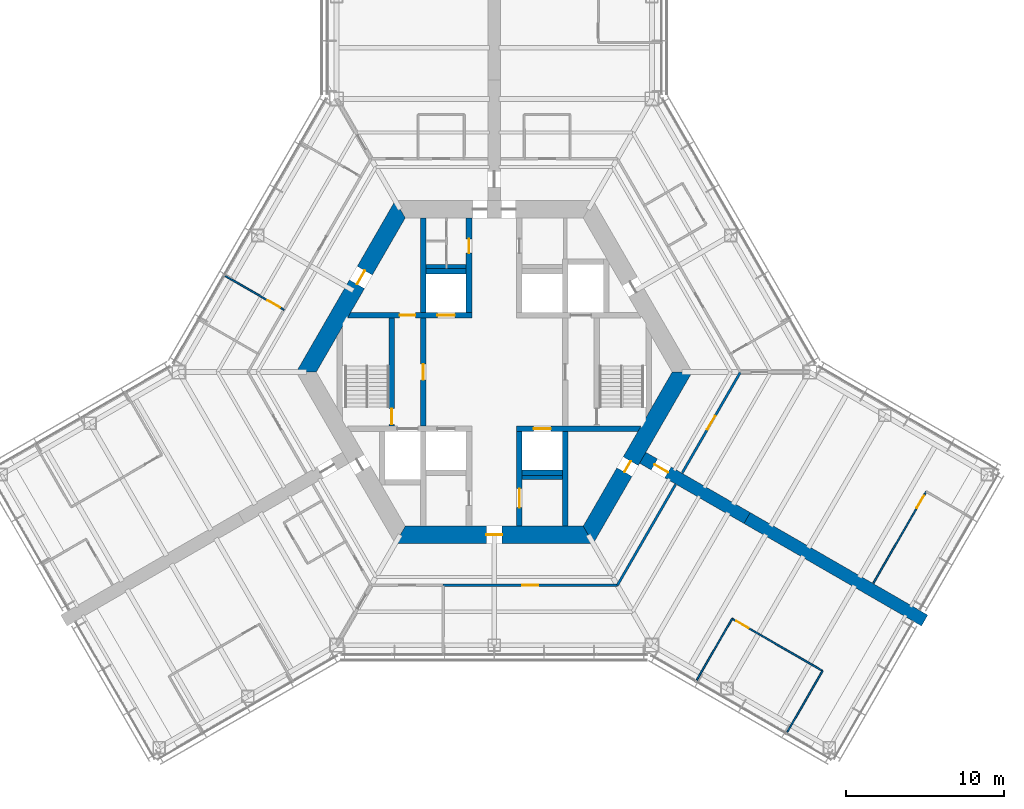
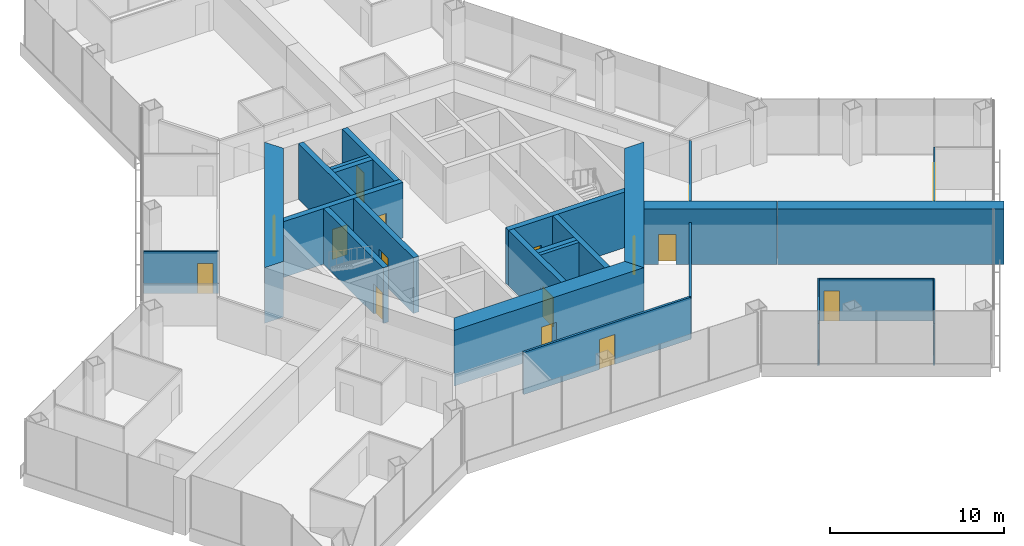
# One storey, part 13 of 18: 25 walls, 16 doors, 16 openings.
"""IFC4 building model written with IfcOpenShell, lengths in metres."""

from ifc_helpers import new_model, si_unit, direction, frame, frame_2d, origin, place, context, subcontext, project, spatial, polyline, rectangle, outline, extrude, material, layer, layer_set, type_object, element, fill, save


model = new_model("IFC4")

# Units and contexts
model_context = context("Model", 3, precision=1e-05, world=origin(), true_north=direction((0.0, 1.0)))
body_context = subcontext(model_context, "Body", "Model", "MODEL_VIEW")
ifc_project = project(units=[si_unit("LENGTHUNIT", "METRE"), si_unit("AREAUNIT", "SQUARE_METRE"), si_unit("VOLUMEUNIT", "CUBIC_METRE"), si_unit("PLANEANGLEUNIT", "RADIAN"), si_unit("MASSUNIT", "GRAM", prefix="KILO")], contexts=[model_context])

# Site, building, storey
site_placement = place(None, origin())
site = spatial("IfcSite", under=ifc_project, at=site_placement, CompositionType="ELEMENT")
building_placement = place(site_placement, origin())
building = spatial("IfcBuilding", under=site, at=building_placement, Name="Kasaneha Research Tower", CompositionType="ELEMENT")
storey_placement = place(building_placement, frame((0.0, 0.0, 76.800048828125)))
storey = spatial("IfcBuildingStorey", under=building, at=storey_placement, Name="L19", CompositionType="ELEMENT", Elevation=76.800048828125)

# Wall, openings, doors
ifc_material_1 = material(Name="Concrete Fc80", Category="concrete")
ifc_layer_1 = layer(ifc_material_1, 0.35009765625)
ifc_layer_set_1 = layer_set([ifc_layer_1], Name="Core internal wall 350 Fc80")
wall_type_1 = type_object("IfcWallType", Name="Core internal wall 350 Fc80", PredefinedType="SHEAR", material=ifc_layer_set_1)
wall_1_placement = place(storey_placement, frame((-9.208740234375, 3.60009765625, 0.0), z_axis=(0.0, 0.0, 1.0), x_axis=(1.0, 0.0, 0.0)))
wall_1 = element("IfcWall", 1, at=wall_1_placement, inside=storey, type_object=wall_type_1, Name="Core wall W1W L19", PredefinedType="SHEAR", context=body_context, shape_type="SweptSolid", body=[
    extrude(outline(polyline([(-0.10107421875, -0.175048828125), (3.208740234375, -0.175048828125), (4.208740234375, -0.175048828125), (5.608642578125, -0.175048828125), (6.708740234375, -0.175048828125), (7.78369140625, -0.175048828125), (7.78369140625, 0.175048828125), (6.708740234375, 0.175048828125), (5.608642578125, 0.175048828125), (4.208740234375, 0.175048828125), (3.208740234375, 0.175048828125), (0.10107421875, 0.175048828125), (-0.10107421875, -0.175048828125)])), origin(), (0.0, 0.0, 1.0), 3.89990234375),
])
opening_1_placement = place(wall_1_placement, frame((3.208740234375, 0.0, 0.0)))
opening_1 = element("IfcOpeningElement", 2, at=opening_1_placement, cuts=wall_1, Name="Opening L19-D12", PredefinedType="OPENING", context=body_context, shape_type="SweptSolid", body=[
    extrude(rectangle(XDim=1.0, YDim=2.10009765625, at=frame_2d((0.5, 1.050048828125))), frame((0.0, 0.18505859375, 0.0), z_axis=(0.0, -1.0, 0.0), x_axis=(1.0, 0.0, 0.0)), (0.0, 0.0, 1.0), 0.3701171875),
])
opening_2_placement = place(wall_1_placement, frame((5.608642578125, 0.0, 0.0)))
opening_2 = element("IfcOpeningElement", 3, at=opening_2_placement, cuts=wall_1, Name="Opening LD-LO1-L19", PredefinedType="OPENING", context=body_context, shape_type="SweptSolid", body=[
    extrude(rectangle(XDim=1.10009765625, YDim=2.10009765625, at=frame_2d((0.550048828125, 1.050048828125))), frame((0.0, 0.18505859375, 0.0), z_axis=(0.0, -1.0, 0.0), x_axis=(1.0, 0.0, 0.0)), (0.0, 0.0, 1.0), 0.3701171875),
])
ifc_material_2 = material(Name="Steel", Category="steel")
door_type_1 = type_object("IfcDoorType", Name="Lift landing door 1100x2100", OperationType="DOUBLE_DOOR_SLIDING", PredefinedType="DOOR", material=ifc_material_2)
door_1_placement = place(opening_2_placement, origin())
door_1 = element("IfcDoor", 4, at=door_1_placement, inside=storey, type_object=door_type_1, Name="Landing door LO1 LD-LO1-L19", OperationType="DOUBLE_DOOR_SLIDING", OverallHeight=2.10009765625, OverallWidth=1.10009765625, PredefinedType="DOOR", context=body_context, shape_type="SweptSolid", body=[
    extrude(rectangle(XDim=1.10009765625, YDim=2.10009765625, at=frame_2d((0.550048828125, 1.050048828125))), frame((0.0, 0.02490234375, 0.0), z_axis=(0.0, -1.0, 0.0), x_axis=(1.0, 0.0, 0.0)), (0.0, 0.0, 1.0), 0.050048828125),
])
fill(opening_2, door_1)
ifc_material_3 = material(Name="Steel", Category="steel")
door_type_2 = type_object("IfcDoorType", Name="Specified fire door FD60 1000x2100", OperationType="NOTDEFINED", PredefinedType="DOOR", material=ifc_material_3)
door_2_placement = place(opening_1_placement, origin())
door_2 = element("IfcDoor", 5, at=door_2_placement, inside=storey, type_object=door_type_2, Name="Vestibule to lobby door L19-D12", OperationType="SINGLE_SWING_RIGHT", OverallHeight=2.10009765625, OverallWidth=1.0, PredefinedType="DOOR", context=body_context, shape_type="SweptSolid", body=[
    extrude(rectangle(XDim=1.0, YDim=2.10009765625, at=frame_2d((0.5, 1.050048828125))), frame((0.0, 0.02490234375, 0.0), z_axis=(0.0, -1.0, 0.0), x_axis=(1.0, 0.0, 0.0)), (0.0, 0.0, 1.0), 0.050048828125),
])
fill(opening_1, door_2)

# Wall, opening, door
wall_2_placement = place(storey_placement, frame((1.425048828125, -3.60009765625, 0.0), z_axis=(0.0, 0.0, 1.0), x_axis=(1.0, 0.0, 0.0)))
wall_2 = element("IfcWall", 6, at=wall_2_placement, inside=storey, type_object=wall_type_1, Name="Core wall W2E L19", PredefinedType="SHEAR", context=body_context, shape_type="SweptSolid", body=[
    extrude(outline(polyline([(0.0, -0.175048828125), (1.074951171875, -0.175048828125), (2.175048828125, -0.175048828125), (7.6826171875, -0.175048828125), (7.884765625, 0.175048828125), (2.175048828125, 0.175048828125), (1.074951171875, 0.175048828125), (0.0, 0.175048828125), (0.0, -0.175048828125)])), origin(), (0.0, 0.0, 1.0), 3.89990234375),
])
opening_3_placement = place(wall_2_placement, frame((1.074951171875, 0.0, 0.0)))
opening_3 = element("IfcOpeningElement", 7, at=opening_3_placement, cuts=wall_2, Name="Opening LD-LO3-L19", PredefinedType="OPENING", context=body_context, shape_type="SweptSolid", body=[
    extrude(rectangle(XDim=1.10009765625, YDim=2.10009765625, at=frame_2d((0.550048828125, 1.050048828125))), frame((0.0, 0.18505859375, 0.0), z_axis=(0.0, -1.0, 0.0), x_axis=(1.0, 0.0, 0.0)), (0.0, 0.0, 1.0), 0.3701171875),
])
door_3_placement = place(opening_3_placement, origin())
door_3 = element("IfcDoor", 8, at=door_3_placement, inside=storey, type_object=door_type_1, Name="Landing door LO3 LD-LO3-L19", OperationType="DOUBLE_DOOR_SLIDING", OverallHeight=2.10009765625, OverallWidth=1.10009765625, PredefinedType="DOOR", context=body_context, shape_type="SweptSolid", body=[
    extrude(rectangle(XDim=1.10009765625, YDim=2.10009765625, at=frame_2d((0.550048828125, 1.050048828125))), frame((0.0, 0.02490234375, 0.0), z_axis=(0.0, -1.0, 0.0), x_axis=(1.0, 0.0, 0.0)), (0.0, 0.0, 1.0), 0.050048828125),
])
fill(opening_3, door_3)

wall_3_placement = place(storey_placement, frame((-1.60009765625, 3.77490234375, 0.0), z_axis=(0.0, 0.0, 1.0), x_axis=(0.0, 1.0, 0.0)))
wall_3 = element("IfcWall", 9, at=wall_3_placement, inside=storey, type_object=wall_type_1, Name="Core wall CNW L19", PredefinedType="SHEAR", context=body_context, shape_type="SweptSolid", body=[
    extrude(rectangle(XDim=6.0, YDim=0.35009765625, at=frame_2d((3.0, 0.0))), origin(), (0.0, 0.0, 1.0), 3.89990234375),
])
opening_4_placement = place(wall_3_placement, frame((3.77490234375, 0.0, 0.0)))
opening_4 = element("IfcOpeningElement", 10, at=opening_4_placement, cuts=wall_3, Name="Opening L19-D13", PredefinedType="OPENING", context=body_context, shape_type="SweptSolid", body=[
    extrude(rectangle(XDim=0.89990234375, YDim=2.10009765625, at=frame_2d((0.449951171875, 1.050048828125))), frame((0.0, 0.18505859375, 0.0), z_axis=(0.0, -1.0, 0.0), x_axis=(1.0, 0.0, 0.0)), (0.0, 0.0, 1.0), 0.3701171875),
])
ifc_material_4 = material(Name="Steel", Category="steel")
door_type_3 = type_object("IfcDoorType", Name="Toilet door FD20 900x2100", OperationType="NOTDEFINED", PredefinedType="DOOR", material=ifc_material_4)
door_4_placement = place(opening_4_placement, origin())
door_4 = element("IfcDoor", 11, at=door_4_placement, inside=storey, type_object=door_type_3, Name="Men's WC door L19-D13", OperationType="SINGLE_SWING_LEFT", OverallHeight=2.10009765625, OverallWidth=0.89990234375, PredefinedType="DOOR", context=body_context, shape_type="SweptSolid", body=[
    extrude(rectangle(XDim=0.89990234375, YDim=2.10009765625, at=frame_2d((0.449951171875, 1.050048828125))), frame((0.0, 0.02490234375, 0.0), z_axis=(0.0, -1.0, 0.0), x_axis=(1.0, 0.0, 0.0)), (0.0, 0.0, 1.0), 0.050048828125),
])
fill(opening_4, door_4)

wall_4_placement = place(storey_placement, frame((1.60009765625, -3.77490234375, 0.0), z_axis=(0.0, 0.0, 1.0), x_axis=(0.0, -1.0, 0.0)))
wall_4 = element("IfcWall", 12, at=wall_4_placement, inside=storey, type_object=wall_type_1, Name="Core wall CSE L19", PredefinedType="SHEAR", context=body_context, shape_type="SweptSolid", body=[
    extrude(rectangle(XDim=6.0, YDim=0.35009765625, at=frame_2d((3.0, 0.0))), origin(), (0.0, 0.0, 1.0), 3.89990234375),
])
opening_5_placement = place(wall_4_placement, frame((3.625, 0.0, 0.0)))
opening_5 = element("IfcOpeningElement", 13, at=opening_5_placement, cuts=wall_4, Name="Opening L19-D15", PredefinedType="OPENING", context=body_context, shape_type="SweptSolid", body=[
    extrude(rectangle(XDim=1.199951171875, YDim=2.10009765625, at=frame_2d((0.60009765625, 1.050048828125))), frame((0.0, 0.18505859375, 0.0), z_axis=(0.0, -1.0, 0.0), x_axis=(1.0, 0.0, 0.0)), (0.0, 0.0, 1.0), 0.3701171875),
])
ifc_material_5 = material(Name="Steel", Category="steel")
door_type_4 = type_object("IfcDoorType", Name="Accessible toilet sliding door FD20 1200x2100", OperationType="SLIDING_TO_LEFT", PredefinedType="DOOR", material=ifc_material_5)
door_5_placement = place(opening_5_placement, origin())
door_5 = element("IfcDoor", 14, at=door_5_placement, inside=storey, type_object=door_type_4, Name="Accessible WC door L19-D15", OperationType="SLIDING_TO_LEFT", OverallHeight=2.10009765625, OverallWidth=1.199951171875, PredefinedType="DOOR", context=body_context, shape_type="SweptSolid", body=[
    extrude(rectangle(XDim=1.199951171875, YDim=2.10009765625, at=frame_2d((0.60009765625, 1.050048828125))), frame((0.0, 0.02490234375, 0.0), z_axis=(0.0, -1.0, 0.0), x_axis=(1.0, 0.0, 0.0)), (0.0, 0.0, 1.0), 0.050048828125),
])
fill(opening_5, door_5)

wall_5_placement = place(storey_placement, frame((-4.5, -3.425048828125, 0.0), z_axis=(0.0, 0.0, 1.0), x_axis=(0.0, 1.0, 0.0)))
wall_5 = element("IfcWall", 15, at=wall_5_placement, inside=storey, type_object=wall_type_1, Name="Core wall LBW L19", PredefinedType="SHEAR", context=body_context, shape_type="SweptSolid", body=[
    extrude(rectangle(XDim=6.85009765625, YDim=0.35009765625, at=frame_2d((3.425048828125, 0.0))), origin(), (0.0, 0.0, 1.0), 3.89990234375),
])
opening_6_placement = place(wall_5_placement, frame((2.925048828125, 0.0, 0.0)))
opening_6 = element("IfcOpeningElement", 16, at=opening_6_placement, cuts=wall_5, Name="Opening L19-D09", PredefinedType="OPENING", context=body_context, shape_type="SweptSolid", body=[
    extrude(rectangle(XDim=1.0, YDim=2.10009765625, at=frame_2d((0.5, 1.050048828125))), frame((0.0, 0.18505859375, 0.0), z_axis=(0.0, -1.0, 0.0), x_axis=(1.0, 0.0, 0.0)), (0.0, 0.0, 1.0), 0.3701171875),
])
door_6_placement = place(opening_6_placement, origin())
door_6 = element("IfcDoor", 17, at=door_6_placement, inside=storey, type_object=door_type_2, Name="Lift lobby door west L19-D09", OperationType="SINGLE_SWING_LEFT", OverallHeight=2.10009765625, OverallWidth=1.0, PredefinedType="DOOR", context=body_context, shape_type="SweptSolid", body=[
    extrude(rectangle(XDim=1.0, YDim=2.10009765625, at=frame_2d((0.5, 1.050048828125))), frame((0.0, 0.02490234375, 0.0), z_axis=(0.0, -1.0, 0.0), x_axis=(1.0, 0.0, 0.0)), (0.0, 0.0, 1.0), 0.050048828125),
])
fill(opening_6, door_6)

wall_6_placement = place(storey_placement, frame((-6.5, -3.425048828125, 0.0), z_axis=(0.0, 0.0, 1.0), x_axis=(0.0, 1.0, 0.0)))
wall_6 = element("IfcWall", 18, at=wall_6_placement, inside=storey, type_object=wall_type_1, Name="Core wall ANW L19", PredefinedType="SHEAR", context=body_context, shape_type="SweptSolid", body=[
    extrude(rectangle(XDim=6.85009765625, YDim=0.35009765625, at=frame_2d((3.425048828125, 0.0))), origin(), (0.0, 0.0, 1.0), 3.89990234375),
])
opening_7_placement = place(wall_6_placement, frame((0.10009765625, 0.0, 0.0)))
opening_7 = element("IfcOpeningElement", 19, at=opening_7_placement, cuts=wall_6, Name="Opening L19-D11", PredefinedType="OPENING", context=body_context, shape_type="SweptSolid", body=[
    extrude(rectangle(XDim=1.0, YDim=2.10009765625, at=frame_2d((0.5, 1.050048828125))), frame((0.0, 0.18505859375, 0.0), z_axis=(0.0, -1.0, 0.0), x_axis=(1.0, 0.0, 0.0)), (0.0, 0.0, 1.0), 0.3701171875),
])
door_7_placement = place(opening_7_placement, origin())
door_7 = element("IfcDoor", 20, at=door_7_placement, inside=storey, type_object=door_type_2, Name="Stair 2 door L19-D11", OperationType="SINGLE_SWING_LEFT", OverallHeight=2.10009765625, OverallWidth=1.0, PredefinedType="DOOR", context=body_context, shape_type="SweptSolid", body=[
    extrude(rectangle(XDim=1.0, YDim=2.10009765625, at=frame_2d((0.5, 1.050048828125))), frame((0.0, 0.02490234375, 0.0), z_axis=(0.0, -1.0, 0.0), x_axis=(1.0, 0.0, 0.0)), (0.0, 0.0, 1.0), 0.050048828125),
])
fill(opening_7, door_7)

# Walls
for number, where, z_axis, x_axis, name in (
    (21, (-4.5, 3.77490234375, 0.0), (0.0, 0.0, 1.0), (0.0, 1.0, 0.0), "Core wall VNW L19"),
    (22, (4.5, -3.77490234375, 0.0), (0.0, 0.0, 1.0), (0.0, -1.0, 0.0), "Core wall SSE L19"),
):
    element("IfcWall", number, at=place(storey_placement, frame(where, z_axis=z_axis, x_axis=x_axis)), inside=storey, type_object=wall_type_1, Name=name, PredefinedType="SHEAR", context=body_context, shape_type="SweptSolid", body=[
        extrude(rectangle(XDim=6.0, YDim=0.35009765625, at=frame_2d((3.0, 0.0))), origin(), (0.0, 0.0, 1.0), 3.89990234375),
    ])
for number, where, z_axis, x_axis, name in (
    (23, (-4.324951171875, 6.39990234375, 0.0), (0.0, 0.0, 1.0), (1.0, 0.0, 0.0), "Core wall N1N L19"),
    (24, (1.77490234375, -6.39990234375, 0.0), (0.0, 0.0, 1.0), (1.0, 0.0, 0.0), "Core wall S3S L19"),
):
    element("IfcWall", number, at=place(storey_placement, frame(where, z_axis=z_axis, x_axis=x_axis)), inside=storey, type_object=wall_type_1, Name=name, PredefinedType="SHEAR", context=body_context, shape_type="SweptSolid", body=[
        extrude(rectangle(XDim=2.550048828125, YDim=0.35009765625, at=frame_2d((1.27490234375, 0.0))), origin(), (0.0, 0.0, 1.0), 3.89990234375),
    ])

# Wall, opening, door
ifc_material_6 = material(Name="Concrete Fc80", Category="concrete")
ifc_layer_2 = layer(ifc_material_6, 1.10009765625)
ifc_layer_set_2 = layer_set([ifc_layer_2], Name="Core wall 1100 Fc80")
wall_type_2 = type_object("IfcWallType", Name="Core wall 1100 Fc80", PredefinedType="SHEAR", material=ifc_layer_set_2)
wall_7_placement = place(storey_placement, frame((-5.961181640625, 10.324951171875, 0.0), z_axis=(0.0, 0.0, 1.0), x_axis=(-0.500004296715, -0.866022923061, 0.0)))
wall_7 = element("IfcWall", 25, at=wall_7_placement, inside=storey, type_object=wall_type_2, Name="Core wall 150 L19", PredefinedType="SHEAR", context=body_context, shape_type="SweptSolid", body=[
    extrude(outline(polyline([(-0.317626953125, -0.550048828125), (4.494140625, -0.550048828125), (5.494140625, -0.550048828125), (12.239990234375, -0.550048828125), (11.604736328125, 0.550048828125), (5.494140625, 0.550048828125), (4.494140625, 0.550048828125), (0.317626953125, 0.550048828125), (-0.317626953125, -0.550048828125)])), origin(), (0.0, 0.0, 1.0), 3.89990234375),
])
opening_8_placement = place(wall_7_placement, frame((4.494140625, 0.0, 0.0)))
opening_8 = element("IfcOpeningElement", 26, at=opening_8_placement, cuts=wall_7, Name="Opening L19-D07", PredefinedType="OPENING", context=body_context, shape_type="SweptSolid", body=[
    extrude(rectangle(XDim=1.0, YDim=2.10009765625, at=frame_2d((0.5, 1.050048828125))), frame((0.0, 0.56005859375, 0.0), z_axis=(0.0, -1.0, 0.0), x_axis=(1.0, 0.0, 0.0)), (0.0, 0.0, 1.0), 1.1201171875),
])
ifc_material_7 = material(Name="Steel", Category="steel")
door_type_5 = type_object("IfcDoorType", Name="Fire door FD20 1000x2100", OperationType="NOTDEFINED", PredefinedType="DOOR", material=ifc_material_7)
door_8_placement = place(opening_8_placement, origin())
door_8 = element("IfcDoor", 27, at=door_8_placement, inside=storey, type_object=door_type_5, Name="Vestibule door L19-D07", OperationType="SINGLE_SWING_LEFT", OverallHeight=2.10009765625, OverallWidth=1.0, PredefinedType="DOOR", context=body_context, shape_type="SweptSolid", body=[
    extrude(rectangle(XDim=1.0, YDim=2.10009765625, at=frame_2d((0.5, 1.050048828125))), frame((0.0, 0.02490234375, 0.0), z_axis=(0.0, -1.0, 0.0), x_axis=(1.0, 0.0, 0.0)), (0.0, 0.0, 1.0), 0.050048828125),
])
fill(opening_8, door_8)

wall_8_placement = place(storey_placement, frame((-5.961181640625, -10.324951171875, 0.0), z_axis=(0.0, 0.0, 1.0), x_axis=(1.0, 0.0, 0.0)))
wall_8 = element("IfcWall", 28, at=wall_8_placement, inside=storey, type_object=wall_type_2, Name="Core wall 270 L19", PredefinedType="SHEAR", context=body_context, shape_type="SweptSolid", body=[
    extrude(outline(polyline([(-0.317626953125, -0.550048828125), (5.461181640625, -0.550048828125), (6.461181640625, -0.550048828125), (12.239990234375, -0.550048828125), (11.604736328125, 0.550048828125), (6.461181640625, 0.550048828125), (5.461181640625, 0.550048828125), (0.317626953125, 0.550048828125), (-0.317626953125, -0.550048828125)])), origin(), (0.0, 0.0, 1.0), 3.89990234375),
])
opening_9_placement = place(wall_8_placement, frame((5.461181640625, 0.0, 0.0)))
opening_9 = element("IfcOpeningElement", 29, at=opening_9_placement, cuts=wall_8, Name="Opening L19-D03", PredefinedType="OPENING", context=body_context, shape_type="SweptSolid", body=[
    extrude(rectangle(XDim=1.0, YDim=2.10009765625, at=frame_2d((0.5, 1.050048828125))), frame((0.0, 0.56005859375, 0.0), z_axis=(0.0, -1.0, 0.0), x_axis=(1.0, 0.0, 0.0)), (0.0, 0.0, 1.0), 1.1201171875),
])
door_9_placement = place(opening_9_placement, origin())
door_9 = element("IfcDoor", 30, at=door_9_placement, inside=storey, type_object=door_type_5, Name="Core door south L19-D03", OperationType="SINGLE_SWING_LEFT", OverallHeight=2.10009765625, OverallWidth=1.0, PredefinedType="DOOR", context=body_context, shape_type="SweptSolid", body=[
    extrude(rectangle(XDim=1.0, YDim=2.10009765625, at=frame_2d((0.5, 1.050048828125))), frame((0.0, 0.02490234375, 0.0), z_axis=(0.0, -1.0, 0.0), x_axis=(1.0, 0.0, 0.0)), (0.0, 0.0, 1.0), 0.050048828125),
])
fill(opening_9, door_9)

wall_9_placement = place(storey_placement, frame((5.961181640625, -10.324951171875, 0.0), z_axis=(0.0, 0.0, 1.0), x_axis=(0.500004296715, 0.866022923061, 0.0)))
wall_9 = element("IfcWall", 31, at=wall_9_placement, inside=storey, type_object=wall_type_2, Name="Core wall 330 L19", PredefinedType="SHEAR", context=body_context, shape_type="SweptSolid", body=[
    extrude(outline(polyline([(-0.317626953125, -0.550048828125), (4.593994140625, -0.550048828125), (5.39404296875, -0.550048828125), (12.239990234375, -0.550048828125), (11.604736328125, 0.550048828125), (5.39404296875, 0.550048828125), (4.593994140625, 0.550048828125), (0.317626953125, 0.550048828125), (-0.317626953125, -0.550048828125)])), origin(), (0.0, 0.0, 1.0), 3.89990234375),
])
opening_10_placement = place(wall_9_placement, frame((4.593994140625, 0.0, 0.0)))
opening_10 = element("IfcOpeningElement", 32, at=opening_10_placement, cuts=wall_9, Name="Opening L19-D05", PredefinedType="OPENING", context=body_context, shape_type="SweptSolid", body=[
    extrude(rectangle(XDim=0.800048828125, YDim=2.10009765625, at=frame_2d((0.39990234375, 1.050048828125))), frame((0.0, 0.56005859375, 0.0), z_axis=(0.0, -1.0, 0.0), x_axis=(1.0, 0.0, 0.0)), (0.0, 0.0, 1.0), 1.1201171875),
])
ifc_material_8 = material(Name="Steel", Category="steel")
door_type_6 = type_object("IfcDoorType", Name="Riser access door FD60 800x2100", OperationType="NOTDEFINED", PredefinedType="DOOR", material=ifc_material_8)
door_10_placement = place(opening_10_placement, origin())
door_10 = element("IfcDoor", 33, at=door_10_placement, inside=storey, type_object=door_type_6, Name="Pipe riser door L19-D05", OperationType="SINGLE_SWING_LEFT", OverallHeight=2.10009765625, OverallWidth=0.800048828125, PredefinedType="DOOR", context=body_context, shape_type="SweptSolid", body=[
    extrude(rectangle(XDim=0.800048828125, YDim=2.10009765625, at=frame_2d((0.39990234375, 1.050048828125))), frame((0.0, 0.02490234375, 0.0), z_axis=(0.0, -1.0, 0.0), x_axis=(1.0, 0.0, 0.0)), (0.0, 0.0, 1.0), 0.050048828125),
])
fill(opening_10, door_10)

ifc_material_9 = material(Name="Gypsum board on steel studs, one layer each side", Category="steel")
ifc_layer_3 = layer(ifc_material_9, 0.10009765625)
ifc_layer_set_3 = layer_set([ifc_layer_3], Name="Office partition 100")
wall_type_3 = type_object("IfcWallType", Name="Office partition 100", PredefinedType="PARTITIONING", material=ifc_layer_set_3)
wall_10_placement = place(storey_placement, frame((-17.05615234375, 6.098876953125, 0.0), z_axis=(0.0, 0.0, 1.0), x_axis=(0.865505397626, -0.500899597405, 0.0)))
wall_10 = element("IfcWall", 34, at=wall_10_placement, inside=storey, type_object=wall_type_3, Name="Office partition FBN07 L19", PredefinedType="PARTITIONING", context=body_context, shape_type="SweptSolid", body=[
    extrude(rectangle(XDim=4.29541015625, YDim=0.10009765625, at=frame_2d((2.147705078125, 0.0))), origin(), (0.0, 0.0, 1.0), 2.949951171875),
])
opening_11_placement = place(wall_10_placement, frame((3.095458984375, 0.0, 0.0)))
opening_11 = element("IfcOpeningElement", 35, at=opening_11_placement, cuts=wall_10, Name="Opening L19-D37", PredefinedType="OPENING", context=body_context, shape_type="SweptSolid", body=[
    extrude(rectangle(XDim=0.89990234375, YDim=2.10009765625, at=frame_2d((0.449951171875, 1.050048828125))), frame((0.0, 0.06005859375, 0.0), z_axis=(0.0, -1.0, 0.0), x_axis=(1.0, 0.0, 0.0)), (0.0, 0.0, 1.0), 0.1201171875),
])
ifc_material_10 = material(Name="Timber veneer", Category="wood")
door_type_7 = type_object("IfcDoorType", Name="Office door 900x2100", OperationType="SINGLE_SWING_LEFT", PredefinedType="DOOR", material=ifc_material_10)
door_11_placement = place(opening_11_placement, origin())
door_11 = element("IfcDoor", 36, at=door_11_placement, inside=storey, type_object=door_type_7, Name="Interview room door L19-D37", OperationType="SINGLE_SWING_RIGHT", OverallHeight=2.10009765625, OverallWidth=0.89990234375, PredefinedType="DOOR", context=body_context, shape_type="SweptSolid", body=[
    extrude(rectangle(XDim=0.89990234375, YDim=2.10009765625, at=frame_2d((0.449951171875, 1.050048828125))), frame((0.0, 0.02490234375, 0.0), z_axis=(0.0, -1.0, 0.0), x_axis=(1.0, 0.0, 0.0)), (0.0, 0.0, 1.0), 0.050048828125),
])
fill(opening_11, door_11)

wall_11_placement = place(storey_placement, frame((24.04345703125, -13.396484375, 0.0), z_axis=(0.0, 0.0, 1.0), x_axis=(0.499999473313, 0.866025707867, 0.0)))
wall_11 = element("IfcWall", 37, at=wall_11_placement, inside=storey, type_object=wall_type_3, Name="Office partition FCE02 L19", PredefinedType="PARTITIONING", context=body_context, shape_type="SweptSolid", body=[
    extrude(rectangle(XDim=6.71337890625, YDim=0.10009765625, at=frame_2d((3.356689453125, 0.0))), origin(), (0.0, 0.0, 1.0), 2.949951171875),
])
opening_12_placement = place(wall_11_placement, frame((5.51318359375, 0.0, 0.0)))
opening_12 = element("IfcOpeningElement", 38, at=opening_12_placement, cuts=wall_11, Name="Opening L19-D45", PredefinedType="OPENING", context=body_context, shape_type="SweptSolid", body=[
    extrude(rectangle(XDim=0.89990234375, YDim=2.10009765625, at=frame_2d((0.449951171875, 1.050048828125))), frame((0.0, 0.06005859375, 0.0), z_axis=(0.0, -1.0, 0.0), x_axis=(1.0, 0.0, 0.0)), (0.0, 0.0, 1.0), 0.1201171875),
])
door_12_placement = place(opening_12_placement, origin())
door_12 = element("IfcDoor", 39, at=door_12_placement, inside=storey, type_object=door_type_7, Name="Manager's office door L19-D45", OperationType="SINGLE_SWING_RIGHT", OverallHeight=2.10009765625, OverallWidth=0.89990234375, PredefinedType="DOOR", context=body_context, shape_type="SweptSolid", body=[
    extrude(rectangle(XDim=0.89990234375, YDim=2.10009765625, at=frame_2d((0.449951171875, 1.050048828125))), frame((0.0, 0.02490234375, 0.0), z_axis=(0.0, -1.0, 0.0), x_axis=(1.0, 0.0, 0.0)), (0.0, 0.0, 1.0), 0.050048828125),
])
fill(opening_12, door_12)

# Wall
wall_12_placement = place(storey_placement, frame((12.84228515625, -19.538818359375, 0.0), z_axis=(0.0, 0.0, 1.0), x_axis=(0.499990139034, 0.866031096941, 0.0)))
element("IfcWall", 40, at=wall_12_placement, inside=storey, type_object=wall_type_3, Name="Office partition FCS04 L19", PredefinedType="PARTITIONING", context=body_context, shape_type="SweptSolid", body=[
    extrude(rectangle(XDim=4.5, YDim=0.10009765625, at=frame_2d((2.25, 0.0))), origin(), (0.0, 0.0, 1.0), 2.949951171875),
])

# Wall, opening, door
wall_13_placement = place(storey_placement, frame((15.09228515625, -15.6416015625, 0.0), z_axis=(0.0, 0.0, 1.0), x_axis=(0.866021597574, -0.500006592492, 0.0)))
wall_13 = element("IfcWall", 41, at=wall_13_placement, inside=storey, type_object=wall_type_3, Name="Office partition FCS05 L19", PredefinedType="PARTITIONING", context=body_context, shape_type="SweptSolid", body=[
    extrude(rectangle(XDim=6.61962890625, YDim=0.10009765625, at=frame_2d((3.309814453125, 0.0))), origin(), (0.0, 0.0, 1.0), 2.949951171875),
])
opening_13_placement = place(wall_13_placement, frame((0.300048828125, 0.0, 0.0)))
opening_13 = element("IfcOpeningElement", 42, at=opening_13_placement, cuts=wall_13, Name="Opening L19-D48", PredefinedType="OPENING", context=body_context, shape_type="SweptSolid", body=[
    extrude(rectangle(XDim=0.89990234375, YDim=2.10009765625, at=frame_2d((0.449951171875, 1.050048828125))), frame((0.0, 0.06005859375, 0.0), z_axis=(0.0, -1.0, 0.0), x_axis=(1.0, 0.0, 0.0)), (0.0, 0.0, 1.0), 0.1201171875),
])
door_13_placement = place(opening_13_placement, origin())
door_13 = element("IfcDoor", 43, at=door_13_placement, inside=storey, type_object=door_type_7, Name="Project room door L19-D48", OperationType="SINGLE_SWING_LEFT", OverallHeight=2.10009765625, OverallWidth=0.89990234375, PredefinedType="DOOR", context=body_context, shape_type="SweptSolid", body=[
    extrude(rectangle(XDim=0.89990234375, YDim=2.10009765625, at=frame_2d((0.449951171875, 1.050048828125))), frame((0.0, 0.02490234375, 0.0), z_axis=(0.0, -1.0, 0.0), x_axis=(1.0, 0.0, 0.0)), (0.0, 0.0, 1.0), 0.050048828125),
])
fill(opening_13, door_13)

# Wall
wall_14_placement = place(storey_placement, frame((20.824951171875, -18.951416015625, 0.0), z_axis=(0.0, 0.0, 1.0), x_axis=(-0.499989762656, -0.866031314237, 0.0)))
element("IfcWall", 44, at=wall_14_placement, inside=storey, type_object=wall_type_3, Name="Office partition FCS06 L19", PredefinedType="PARTITIONING", context=body_context, shape_type="SweptSolid", body=[
    extrude(rectangle(XDim=4.47998046875, YDim=0.10009765625, at=frame_2d((2.239990234375, 0.0))), origin(), (0.0, 0.0, 1.0), 2.949951171875),
])

# Wall, opening, door
ifc_material_11 = material(Name="Concrete Fc80", Category="concrete")
ifc_layer_4 = layer(ifc_material_11, 0.800048828125)
ifc_layer_set_4 = layer_set([ifc_layer_4], Name="Spine wall 800 Fc80")
wall_type_4 = type_object("IfcWallType", Name="Spine wall 800 Fc80", PredefinedType="SHEAR", material=ifc_layer_set_4)
wall_15_placement = place(storey_placement, frame((9.41796875, -5.4375, 0.0), z_axis=(0.0, 0.0, 1.0), x_axis=(0.866029782078, -0.499992416496, 0.0)))
wall_15 = element("IfcWall", 45, at=wall_15_placement, inside=storey, type_object=wall_type_4, Name="Spine wall C L19", PredefinedType="SHEAR", context=body_context, shape_type="SweptSolid", body=[
    extrude(rectangle(XDim=7.6455078125, YDim=0.800048828125, at=frame_2d((3.82275390625, 0.0))), origin(), (0.0, 0.0, 1.0), 3.89990234375),
])
opening_14_placement = place(wall_15_placement, frame((0.85009765625, 0.0, 0.0)))
opening_14 = element("IfcOpeningElement", 46, at=opening_14_placement, cuts=wall_15, Name="Opening L19-D19", PredefinedType="OPENING", context=body_context, shape_type="SweptSolid", body=[
    extrude(rectangle(XDim=1.0, YDim=2.10009765625, at=frame_2d((0.5, 1.050048828125))), frame((0.0, 0.41015625, 0.0), z_axis=(0.0, -1.0, 0.0), x_axis=(1.0, 0.0, 0.0)), (0.0, 0.0, 1.0), 0.820068359375),
])
door_14_placement = place(opening_14_placement, origin())
door_14 = element("IfcDoor", 47, at=door_14_placement, inside=storey, type_object=door_type_2, Name="Spine doorway C L19-D19", OperationType="SINGLE_SWING_LEFT", OverallHeight=2.10009765625, OverallWidth=1.0, PredefinedType="DOOR", context=body_context, shape_type="SweptSolid", body=[
    extrude(rectangle(XDim=1.0, YDim=2.10009765625, at=frame_2d((0.5, 1.050048828125))), frame((0.0, 0.02490234375, 0.0), z_axis=(0.0, -1.0, 0.0), x_axis=(1.0, 0.0, 0.0)), (0.0, 0.0, 1.0), 0.050048828125),
])
fill(opening_14, door_14)

# Wall
wall_16_placement = place(storey_placement, frame((16.039306640625, -9.26025390625, 0.0), z_axis=(0.0, 0.0, 1.0), x_axis=(0.866024837091, -0.50000098154, 0.0)))
element("IfcWall", 48, at=wall_16_placement, inside=storey, type_object=wall_type_4, Name="Spine wall C wing L19", PredefinedType="SHEAR", context=body_context, shape_type="SweptSolid", body=[
    extrude(rectangle(XDim=13.0, YDim=0.800048828125, at=frame_2d((6.5, 0.0))), origin(), (0.0, 0.0, 1.0), 3.89990234375),
])

# Wall, opening, door
ifc_material_12 = material(Name="Gypsum board on steel studs, two layers each side", Category="steel")
ifc_layer_5 = layer(ifc_material_12, 0.14990234375)
ifc_layer_set_5 = layer_set([ifc_layer_5], Name="Suite partition 150")
wall_type_5 = type_object("IfcWallType", Name="Suite partition 150", PredefinedType="PARTITIONING", material=ifc_layer_set_5)
wall_17_placement = place(storey_placement, frame((15.605712890625, -0.02001953125, 0.0), z_axis=(0.0, 0.0, 1.0), x_axis=(-0.499989298045, -0.866031582473, 0.0)))
wall_17 = element("IfcWall", 49, at=wall_17_placement, inside=storey, type_object=wall_type_5, Name="Suite partition FCE01 L19", PredefinedType="PARTITIONING", context=body_context, shape_type="SweptSolid", body=[
    extrude(rectangle(XDim=7.365478515625, YDim=0.14990234375, at=frame_2d((3.6826171875, 0.0))), origin(), (0.0, 0.0, 1.0), 2.949951171875),
])
opening_15_placement = place(wall_17_placement, frame((3.182861328125, 0.0, 0.0)))
opening_15 = element("IfcOpeningElement", 50, at=opening_15_placement, cuts=wall_17, Name="Opening L19-D44", PredefinedType="OPENING", context=body_context, shape_type="SweptSolid", body=[
    extrude(rectangle(XDim=1.0, YDim=2.10009765625, at=frame_2d((0.5, 1.050048828125))), frame((0.0, 0.0849609375, 0.0), z_axis=(0.0, -1.0, 0.0), x_axis=(1.0, 0.0, 0.0)), (0.0, 0.0, 1.0), 0.169921875),
])
ifc_material_13 = material(Name="Steel", Category="steel")
door_type_8 = type_object("IfcDoorType", Name="Suite entrance door FD60 1000x2100", OperationType="NOTDEFINED", PredefinedType="DOOR", material=ifc_material_13)
door_15_placement = place(opening_15_placement, origin())
door_15 = element("IfcDoor", 51, at=door_15_placement, inside=storey, type_object=door_type_8, Name="Suite entrance door L19-D44", OperationType="SINGLE_SWING_RIGHT", OverallHeight=2.10009765625, OverallWidth=1.0, PredefinedType="DOOR", context=body_context, shape_type="SweptSolid", body=[
    extrude(rectangle(XDim=1.0, YDim=2.10009765625, at=frame_2d((0.5, 1.050048828125))), frame((0.0, 0.02490234375, 0.0), z_axis=(0.0, -1.0, 0.0), x_axis=(1.0, 0.0, 0.0)), (0.0, 0.0, 1.0), 0.050048828125),
])
fill(opening_15, door_15)

wall_18_placement = place(storey_placement, frame((7.80859375, -13.52490234375, 0.0), z_axis=(0.0, 0.0, 1.0), x_axis=(-1.0, 0.0, 0.0)))
wall_18 = element("IfcWall", 52, at=wall_18_placement, inside=storey, type_object=wall_type_5, Name="Suite partition FCS01 L19", PredefinedType="PARTITIONING", context=body_context, shape_type="SweptSolid", body=[
    extrude(rectangle(XDim=11.06005859375, YDim=0.14990234375, at=frame_2d((5.530029296875, 0.0))), origin(), (0.0, 0.0, 1.0), 2.949951171875),
])
opening_16_placement = place(wall_18_placement, frame((5.030029296875, 0.0, 0.0)))
opening_16 = element("IfcOpeningElement", 53, at=opening_16_placement, cuts=wall_18, Name="Opening L19-D46", PredefinedType="OPENING", context=body_context, shape_type="SweptSolid", body=[
    extrude(rectangle(XDim=1.0, YDim=2.10009765625, at=frame_2d((0.5, 1.050048828125))), frame((0.0, 0.0849609375, 0.0), z_axis=(0.0, -1.0, 0.0), x_axis=(1.0, 0.0, 0.0)), (0.0, 0.0, 1.0), 0.169921875),
])
door_16_placement = place(opening_16_placement, origin())
door_16 = element("IfcDoor", 54, at=door_16_placement, inside=storey, type_object=door_type_8, Name="Suite entrance door L19-D46", OperationType="SINGLE_SWING_RIGHT", OverallHeight=2.10009765625, OverallWidth=1.0, PredefinedType="DOOR", context=body_context, shape_type="SweptSolid", body=[
    extrude(rectangle(XDim=1.0, YDim=2.10009765625, at=frame_2d((0.5, 1.050048828125))), frame((0.0, 0.02490234375, 0.0), z_axis=(0.0, -1.0, 0.0), x_axis=(1.0, 0.0, 0.0)), (0.0, 0.0, 1.0), 0.050048828125),
])
fill(opening_16, door_16)

# Walls
wall_19_placement = place(storey_placement, frame((11.5029296875, -7.126220703125, 0.0), z_axis=(0.0, 0.0, 1.0), x_axis=(-0.500005620463, -0.866022158784, 0.0)))
element("IfcWall", 55, at=wall_19_placement, inside=storey, type_object=wall_type_5, Name="Suite partition FCS02 L19", PredefinedType="PARTITIONING", context=body_context, shape_type="SweptSolid", body=[
    extrude(rectangle(XDim=7.388671875, YDim=0.14990234375, at=frame_2d((3.6943359375, 0.0))), origin(), (0.0, 0.0, 1.0), 2.949951171875),
])
ifc_material_14 = material(Name="Concrete block lining", Category="concrete")
ifc_layer_6 = layer(ifc_material_14, 0.25)
ifc_layer_set_6 = layer_set([ifc_layer_6], Name="WC plumbing wall 250")
wall_type_6 = type_object("IfcWallType", Name="WC plumbing wall 250", PredefinedType="PLUMBINGWALL", material=ifc_layer_set_6)
for number, where, z_axis, x_axis, name in (
    (56, (-4.324951171875, 6.699951171875, 0.0), (0.0, 0.0, 1.0), (1.0, 0.0, 0.0), "WC plumbing wall M L19"),
    (57, (1.77490234375, -6.699951171875, 0.0), (0.0, 0.0, 1.0), (1.0, 0.0, 0.0), "WC plumbing wall A L19"),
):
    element("IfcWall", number, at=place(storey_placement, frame(where, z_axis=z_axis, x_axis=x_axis)), inside=storey, type_object=wall_type_6, Name=name, PredefinedType="PLUMBINGWALL", context=body_context, shape_type="SweptSolid", body=[
        extrude(rectangle(XDim=2.550048828125, YDim=0.25, at=frame_2d((1.27490234375, 0.0))), origin(), (0.0, 0.0, 1.0), 3.89990234375),
    ])

save(model, "model.ifc")
